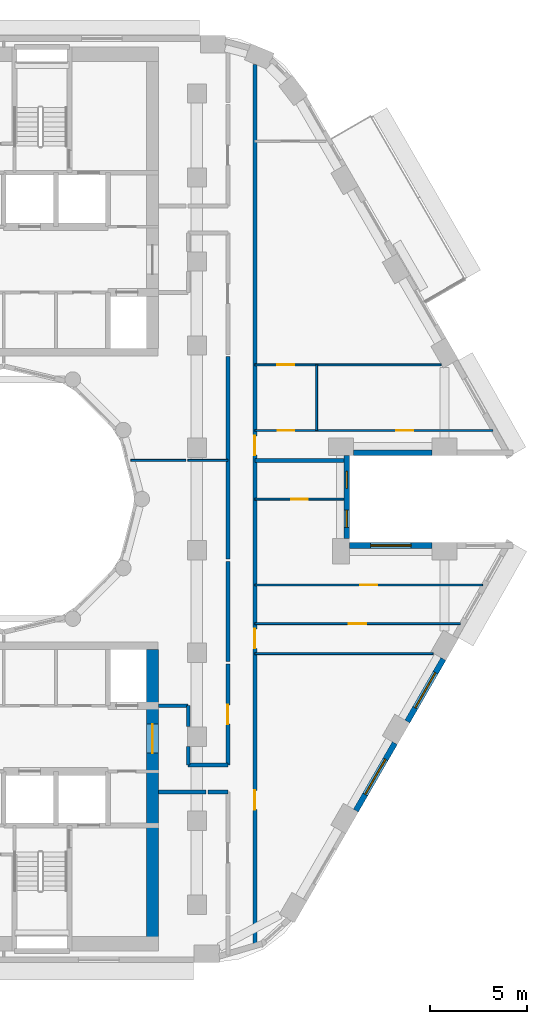
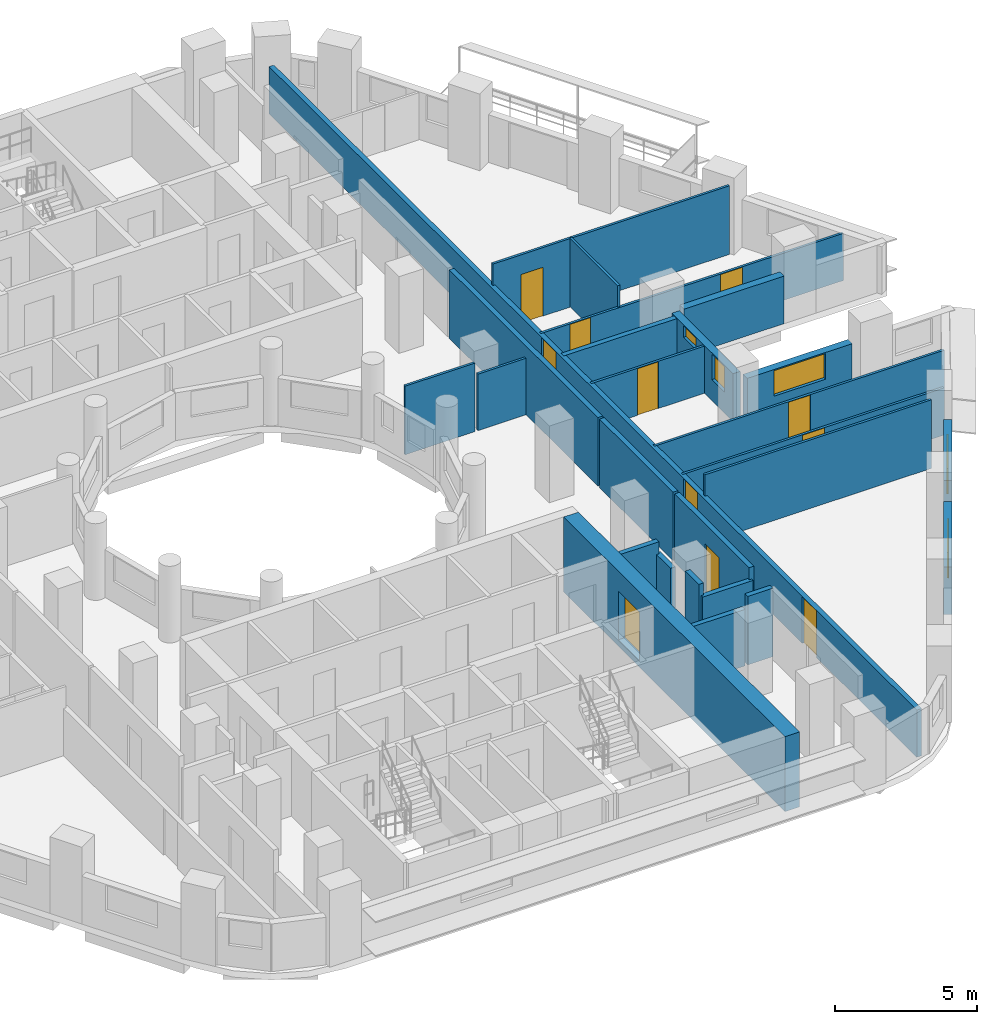
# One storey, part 6 of 14: 26 walls, 11 doors, 5 windows, 16 openings.
"""IFC4 building model written with IfcOpenShell, lengths in metres."""

from ifc_helpers import new_model, si_unit, direction, frame, frame_2d, origin, place, context, subcontext, project, spatial, rectangle, extrude, material, layer, layer_set, type_object, element, fill, save


model = new_model("IFC4")

# Units and contexts
model_context = context("Model", 3, precision=1e-05, world=origin(), true_north=direction((0.0, 1.0)))
body_context = subcontext(model_context, "Body", "Model", "MODEL_VIEW")
ifc_project = project(units=[si_unit("LENGTHUNIT", "METRE"), si_unit("AREAUNIT", "SQUARE_METRE"), si_unit("VOLUMEUNIT", "CUBIC_METRE"), si_unit("PLANEANGLEUNIT", "RADIAN"), si_unit("MASSUNIT", "GRAM", prefix="KILO")], contexts=[model_context])

# Site, building, storey
site_placement = place(None, origin())
site = spatial("IfcSite", under=ifc_project, at=site_placement, CompositionType="ELEMENT")
building_placement = place(site_placement, origin())
building = spatial("IfcBuilding", under=site, at=building_placement, Name="Nakaniwa Court", CompositionType="ELEMENT")
storey_placement = place(building_placement, frame((0.0, 0.0, 166.800048828125)))
storey = spatial("IfcBuildingStorey", under=building, at=storey_placement, Name="L44", CompositionType="ELEMENT", Elevation=166.800048828125)

# Wall, opening, door
ifc_material_1 = material(Name="Acoustic double stud partition")
ifc_layer_1 = layer(ifc_material_1, 0.199951171875)
ifc_layer_set_1 = layer_set([ifc_layer_1], Name="Acoustic double stud partition")
wall_type_1 = type_object("IfcWallType", Name="Acoustic double stud partition 200", PredefinedType="PARTITIONING", material=ifc_layer_set_1)
wall_1_placement = place(storey_placement, frame((91.60009765625, 66.22509765625, 0.0), z_axis=(0.0, 0.0, 1.0), x_axis=(0.0, 1.0, 0.0)))
wall_1 = element("IfcWall", 1, at=wall_1_placement, inside=storey, type_object=wall_type_1, Name="Partition PW-075", PredefinedType="PARTITIONING", context=body_context, shape_type="SweptSolid", body=[
    extrude(rectangle(XDim=5.247802734375, YDim=0.199951171875, at=frame_2d((2.6240234375, 0.0))), origin(), (0.0, 0.0, 1.0), 2.949951171875),
])
opening_1_placement = place(wall_1_placement, frame((2.123046875, 0.0, 0.0)))
opening_1 = element("IfcOpeningElement", 2, at=opening_1_placement, cuts=wall_1, Name="Opening D-02-02", PredefinedType="OPENING", context=body_context, shape_type="SweptSolid", body=[
    extrude(rectangle(XDim=1.0, YDim=2.10009765625, at=frame_2d((0.5, 1.050048828125))), frame((0.0, 0.10986328125, 0.0), z_axis=(0.0, -1.0, 0.0), x_axis=(1.0, 0.0, 0.0)), (0.0, 0.0, 1.0), 0.219970703125),
])
ifc_material_2 = material(Name="Solid core timber door set, black veneer", Category="wood")
door_type_1 = type_object("IfcDoorType", Name="Internal door 1000", OperationType="NOTDEFINED", PredefinedType="DOOR", material=ifc_material_2)
door_1_placement = place(opening_1_placement, origin())
door_1 = element("IfcDoor", 3, at=door_1_placement, inside=storey, type_object=door_type_1, Name="Door D-02-02 L44-031", OperationType="SINGLE_SWING_RIGHT", OverallHeight=2.10009765625, OverallWidth=1.0, PredefinedType="DOOR", context=body_context, shape_type="SweptSolid", body=[
    extrude(rectangle(XDim=1.0, YDim=2.10009765625, at=frame_2d((0.5, 1.050048828125))), frame((0.0, 0.02490234375, 0.0), z_axis=(0.0, -1.0, 0.0), x_axis=(1.0, 0.0, 0.0)), (0.0, 0.0, 1.0), 0.050048828125),
])
fill(opening_1, door_1)

# Walls
wall_2_placement = place(storey_placement, frame((91.60009765625, 71.587158203125, 0.0), z_axis=(0.0, 0.0, 1.0), x_axis=(0.0, 1.0, 0.0)))
element("IfcWall", 4, at=wall_2_placement, inside=storey, type_object=wall_type_1, Name="Partition PW-076", PredefinedType="PARTITIONING", context=body_context, shape_type="SweptSolid", body=[
    extrude(rectangle(XDim=5.185546875, YDim=0.199951171875, at=frame_2d((2.5927734375, 0.0))), origin(), (0.0, 0.0, 1.0), 2.949951171875),
])
wall_3_placement = place(storey_placement, frame((91.60009765625, 76.88720703125, 0.0), z_axis=(0.0, 0.0, 1.0), x_axis=(0.0, 1.0, 0.0)))
element("IfcWall", 5, at=wall_3_placement, inside=storey, type_object=wall_type_1, Name="Partition PW-077", PredefinedType="PARTITIONING", context=body_context, shape_type="SweptSolid", body=[
    extrude(rectangle(XDim=10.485595703125, YDim=0.199951171875, at=frame_2d((5.24267578125, 0.0))), origin(), (0.0, 0.0, 1.0), 2.949951171875),
])
wall_4_placement = place(storey_placement, frame((88.0, 64.824951171875, 0.0), z_axis=(0.0, 0.0, 1.0), x_axis=(1.0, 0.0, 0.0)))
element("IfcWall", 6, at=wall_4_placement, inside=storey, type_object=wall_type_1, Name="Partition PW-083", PredefinedType="PARTITIONING", context=body_context, shape_type="SweptSolid", body=[
    extrude(rectangle(XDim=2.462890625, YDim=0.199951171875, at=frame_2d((1.2314453125, 0.0))), origin(), (0.0, 0.0, 1.0), 2.429931640625),
])
wall_5_placement = place(storey_placement, frame((90.5771484375, 64.824951171875, 0.0), z_axis=(0.0, 0.0, 1.0), x_axis=(1.0, 0.0, 0.0)))
element("IfcWall", 7, at=wall_5_placement, inside=storey, type_object=wall_type_1, Name="Partition PW-084", PredefinedType="PARTITIONING", context=body_context, shape_type="SweptSolid", body=[
    extrude(rectangle(XDim=1.02294921875, YDim=0.199951171875, at=frame_2d((0.511474609375, 0.0))), origin(), (0.0, 0.0, 1.0), 2.949951171875),
])

# Wall, openings, doors
wall_6_placement = place(storey_placement, frame((93.0, 102.498046875, 0.0), z_axis=(0.0, 0.0, 1.0), x_axis=(0.0, -1.0, 0.0)))
wall_6 = element("IfcWall", 8, at=wall_6_placement, inside=storey, type_object=wall_type_1, Name="Partition PW-085", PredefinedType="PARTITIONING", context=body_context, shape_type="SweptSolid", body=[
    extrude(rectangle(XDim=45.664794921875, YDim=0.199951171875, at=frame_2d((22.83251953125, 0.0))), origin(), (0.0, 0.0, 1.0), 2.030029296875),
])
opening_2_placement = place(wall_6_placement, frame((37.5810546875, 0.0, 0.0)))
opening_2 = element("IfcOpeningElement", 9, at=opening_2_placement, cuts=wall_6, Name="Opening D-36-01", PredefinedType="OPENING", context=body_context, shape_type="SweptSolid", body=[
    extrude(rectangle(XDim=1.0, YDim=2.010009765625, at=frame_2d((0.5, 1.0048828125))), frame((0.0, 0.10986328125, 0.0), z_axis=(0.0, -1.0, 0.0), x_axis=(1.0, 0.0, 0.0)), (0.0, 0.0, 1.0), 0.219970703125),
])
opening_3_placement = place(wall_6_placement, frame((29.222900390625, 0.0, 0.0)))
opening_3 = element("IfcOpeningElement", 10, at=opening_3_placement, cuts=wall_6, Name="Opening D-34-01", PredefinedType="OPENING", context=body_context, shape_type="SweptSolid", body=[
    extrude(rectangle(XDim=1.0, YDim=2.010009765625, at=frame_2d((0.5, 1.0048828125))), frame((0.0, 0.10986328125, 0.0), z_axis=(0.0, -1.0, 0.0), x_axis=(1.0, 0.0, 0.0)), (0.0, 0.0, 1.0), 0.219970703125),
])
opening_4_placement = place(wall_6_placement, frame((19.222900390625, 0.0, 0.0)))
opening_4 = element("IfcOpeningElement", 11, at=opening_4_placement, cuts=wall_6, Name="Opening D-34-02", PredefinedType="OPENING", context=body_context, shape_type="SweptSolid", body=[
    extrude(rectangle(XDim=1.0, YDim=2.010009765625, at=frame_2d((0.5, 1.0048828125))), frame((0.0, 0.10986328125, 0.0), z_axis=(0.0, -1.0, 0.0), x_axis=(1.0, 0.0, 0.0)), (0.0, 0.0, 1.0), 0.219970703125),
])
door_type_2 = type_object("IfcDoorType", Name="Flat entrance door 1000 x 2010", OperationType="NOTDEFINED", PredefinedType="DOOR", material=ifc_material_2)
door_2_placement = place(opening_3_placement, origin())
door_2 = element("IfcDoor", 12, at=door_2_placement, inside=storey, type_object=door_type_2, Name="Door D-34-01 L44-032", OperationType="SINGLE_SWING_LEFT", OverallHeight=2.010009765625, OverallWidth=1.0, PredefinedType="DOOR", context=body_context, shape_type="SweptSolid", body=[
    extrude(rectangle(XDim=1.0, YDim=2.010009765625, at=frame_2d((0.5, 1.0048828125))), frame((0.0, 0.02490234375, 0.0), z_axis=(0.0, -1.0, 0.0), x_axis=(1.0, 0.0, 0.0)), (0.0, 0.0, 1.0), 0.050048828125),
])
fill(opening_3, door_2)
door_3_placement = place(opening_4_placement, origin())
door_3 = element("IfcDoor", 13, at=door_3_placement, inside=storey, type_object=door_type_2, Name="Door D-34-02 L44-036", OperationType="SINGLE_SWING_LEFT", OverallHeight=2.010009765625, OverallWidth=1.0, PredefinedType="DOOR", context=body_context, shape_type="SweptSolid", body=[
    extrude(rectangle(XDim=1.0, YDim=2.010009765625, at=frame_2d((0.5, 1.0048828125))), frame((0.0, 0.02490234375, 0.0), z_axis=(0.0, -1.0, 0.0), x_axis=(1.0, 0.0, 0.0)), (0.0, 0.0, 1.0), 0.050048828125),
])
fill(opening_4, door_3)
door_type_3 = type_object("IfcDoorType", Name="Internal door 1000 x 2010", OperationType="NOTDEFINED", PredefinedType="DOOR", material=ifc_material_2)
door_4_placement = place(opening_2_placement, origin())
door_4 = element("IfcDoor", 14, at=door_4_placement, inside=storey, type_object=door_type_3, Name="Door D-36-01 L44-030", OperationType="SINGLE_SWING_LEFT", OverallHeight=2.010009765625, OverallWidth=1.0, PredefinedType="DOOR", context=body_context, shape_type="SweptSolid", body=[
    extrude(rectangle(XDim=1.0, YDim=2.010009765625, at=frame_2d((0.5, 1.0048828125))), frame((0.0, 0.02490234375, 0.0), z_axis=(0.0, -1.0, 0.0), x_axis=(1.0, 0.0, 0.0)), (0.0, 0.0, 1.0), 0.050048828125),
])
fill(opening_2, door_4)

# Walls
wall_7_placement = place(storey_placement, frame((88.0, 69.300048828125, 0.0), z_axis=(0.0, 0.0, 1.0), x_axis=(1.0, 0.0, 0.0)))
element("IfcWall", 15, at=wall_7_placement, inside=storey, type_object=wall_type_1, Name="Partition PW-087", PredefinedType="PARTITIONING", context=body_context, shape_type="SweptSolid", body=[
    extrude(rectangle(XDim=1.550048828125, YDim=0.199951171875, at=frame_2d((0.77490234375, 0.0))), origin(), (0.0, 0.0, 1.0), 2.949951171875),
])
wall_8_placement = place(storey_placement, frame((89.550048828125, 66.22509765625, 0.0), z_axis=(0.0, 0.0, 1.0), x_axis=(0.0, 1.0, 0.0)))
element("IfcWall", 16, at=wall_8_placement, inside=storey, type_object=wall_type_1, Name="Partition PW-088", PredefinedType="PARTITIONING", context=body_context, shape_type="SweptSolid", body=[
    extrude(rectangle(XDim=0.957763671875, YDim=0.199951171875, at=frame_2d((0.47900390625, 0.0))), origin(), (0.0, 0.0, 1.0), 2.949951171875),
])
wall_9_placement = place(storey_placement, frame((89.550048828125, 68.21728515625, 0.0), z_axis=(0.0, 0.0, 1.0), x_axis=(0.0, 1.0, 0.0)))
element("IfcWall", 17, at=wall_9_placement, inside=storey, type_object=wall_type_1, Name="Partition PW-089", PredefinedType="PARTITIONING", context=body_context, shape_type="SweptSolid", body=[
    extrude(rectangle(XDim=1.082763671875, YDim=0.199951171875, at=frame_2d((0.54150390625, 0.0))), origin(), (0.0, 0.0, 1.0), 2.429931640625),
])
wall_10_placement = place(storey_placement, frame((89.550048828125, 66.22509765625, 0.0), z_axis=(0.0, 0.0, 1.0), x_axis=(1.0, 0.0, 0.0)))
element("IfcWall", 18, at=wall_10_placement, inside=storey, type_object=wall_type_1, Name="Partition PW-093", PredefinedType="PARTITIONING", context=body_context, shape_type="SweptSolid", body=[
    extrude(rectangle(XDim=2.050048828125, YDim=0.199951171875, at=frame_2d((1.02490234375, 0.0))), origin(), (0.0, 0.0, 1.0), 2.429931640625),
])
wall_11_placement = place(storey_placement, frame((93.0009765625, 82.0, 0.0), z_axis=(0.0, 0.0, 1.0), x_axis=(1.0, 0.0, 0.0)))
element("IfcWall", 19, at=wall_11_placement, inside=storey, type_object=wall_type_1, Name="Partition PW-127", PredefinedType="PARTITIONING", context=body_context, shape_type="SweptSolid", body=[
    extrude(rectangle(XDim=4.607421875, YDim=0.199951171875, at=frame_2d((2.3037109375, 0.0))), origin(), (0.0, 0.0, 1.0), 2.030029296875),
])
ifc_material_3 = material(Name="Charcoal ceramic cladding")
ifc_layer_2 = layer(ifc_material_3, 0.02, Name="Ceramic cladding")
ifc_material_4 = material(Name="Ventilated air cavity")
ifc_layer_3 = layer(ifc_material_4, 0.04, ventilated=True, Name="Ventilated cavity")
ifc_material_5 = material(Name="Mineral wool insulation")
ifc_layer_4 = layer(ifc_material_5, 0.1, Name="Insulation")
ifc_material_6 = material(Name="Cement bonded sheathing board")
ifc_layer_5 = layer(ifc_material_6, 0.012, Name="Sheathing")
ifc_material_7 = material(Name="Cold-formed galvanised stud frame with mineral wool infill")
ifc_layer_6 = layer(ifc_material_7, 0.1, Name="Stud frame")
ifc_material_8 = material(Name="Fire-rated gypsum plasterboard lining")
ifc_layer_7 = layer(ifc_material_8, 0.028, Name="Lining")
ifc_layer_set_2 = layer_set([ifc_layer_2, ifc_layer_3, ifc_layer_4, ifc_layer_5, ifc_layer_6, ifc_layer_7], Name="Charcoal ceramic faced external wall system")
wall_type_2 = type_object("IfcWallType", Name="Black ceramic faced external wall 300", PredefinedType="SOLIDWALL", material=ifc_layer_set_2)
wall_12_placement = place(storey_placement, frame((98.1044921875, 82.39990234375, 0.0), z_axis=(0.0, 0.0, 1.0), x_axis=(1.0, 0.0, 0.0)))
element("IfcWall", 20, at=wall_12_placement, inside=storey, type_object=wall_type_2, Name="L44 external wall 00", PredefinedType="SOLIDWALL", context=body_context, shape_type="SweptSolid", body=[
    extrude(rectangle(XDim=4.072509765625, YDim=0.300048828125, at=frame_2d((2.0361328125, 0.0))), origin(), (0.0, 0.0, 1.0), 2.050048828125),
])

# Wall, opening, window
wall_13_placement = place(storey_placement, frame((98.228271484375, 63.872314453125, 0.0), z_axis=(0.0, 0.0, 1.0), x_axis=(0.500031546601, 0.86600718958, 0.0)))
wall_13 = element("IfcWall", 21, at=wall_13_placement, inside=storey, type_object=wall_type_2, Name="L44 external wall 30", PredefinedType="SOLIDWALL", context=body_context, shape_type="SweptSolid", body=[
    extrude(rectangle(XDim=4.033935546875, YDim=0.300048828125, at=frame_2d((2.01708984375, 0.0))), origin(), (0.0, 0.0, 1.0), 2.050048828125),
])
opening_5_placement = place(wall_13_placement, frame((0.966796875, 0.0, 0.89990234375)))
opening_5 = element("IfcOpeningElement", 22, at=opening_5_placement, cuts=wall_13, Name="Opening W7.27", PredefinedType="OPENING", context=body_context, shape_type="SweptSolid", body=[
    extrude(rectangle(XDim=2.10009765625, YDim=1.10009765625, at=frame_2d((1.050048828125, 0.550048828125))), frame((0.0, 0.159912109375, 0.0), z_axis=(0.0, -1.0, 0.0), x_axis=(1.0, 0.0, 0.0)), (0.0, 0.0, 1.0), 0.320068359375),
])
ifc_material_9 = material(Name="Black anodised aluminium frame with dark low-E laminated double glazing", Category="aluminium")
window_type_1 = type_object("IfcWindowType", Name="Dark glass window 2100x1100 sill 900", PartitioningType="SINGLE_PANEL", PredefinedType="WINDOW", material=ifc_material_9)
window_1_placement = place(opening_5_placement, origin())
window_1 = element("IfcWindow", 23, at=window_1_placement, inside=storey, type_object=window_type_1, Name="L44 habitable room window 30-0", OverallHeight=1.10009765625, OverallWidth=2.10009765625, PartitioningType="SINGLE_PANEL", PredefinedType="WINDOW", context=body_context, shape_type="SweptSolid", body=[
    extrude(rectangle(XDim=2.10009765625, YDim=1.10009765625, at=frame_2d((1.050048828125, 0.550048828125))), frame((0.0, 0.030029296875, 0.0), z_axis=(0.0, -1.0, 0.0), x_axis=(1.0, 0.0, 0.0)), (0.0, 0.0, 1.0), 0.06005859375),
])
fill(opening_5, window_1)

wall_14_placement = place(storey_placement, frame((100.891357421875, 68.484619140625, 0.0), z_axis=(0.0, 0.0, 1.0), x_axis=(0.499933594891, 0.866063739398, 0.0)))
wall_14 = element("IfcWall", 24, at=wall_14_placement, inside=storey, type_object=wall_type_2, Name="L44 external wall 31", PredefinedType="SOLIDWALL", context=body_context, shape_type="SweptSolid", body=[
    extrude(rectangle(XDim=3.73681640625, YDim=0.300048828125, at=frame_2d((1.868408203125, 0.0))), origin(), (0.0, 0.0, 1.0), 2.050048828125),
])
opening_6_placement = place(wall_14_placement, frame((0.818359375, 0.0, 0.89990234375)))
opening_6 = element("IfcOpeningElement", 25, at=opening_6_placement, cuts=wall_14, Name="Opening W7.28", PredefinedType="OPENING", context=body_context, shape_type="SweptSolid", body=[
    extrude(rectangle(XDim=2.10009765625, YDim=1.10009765625, at=frame_2d((1.050048828125, 0.550048828125))), frame((0.0, 0.159912109375, 0.0), z_axis=(0.0, -1.0, 0.0), x_axis=(1.0, 0.0, 0.0)), (0.0, 0.0, 1.0), 0.320068359375),
])
window_2_placement = place(opening_6_placement, origin())
window_2 = element("IfcWindow", 26, at=window_2_placement, inside=storey, type_object=window_type_1, Name="L44 habitable room window 31-0", OverallHeight=1.10009765625, OverallWidth=2.10009765625, PartitioningType="SINGLE_PANEL", PredefinedType="WINDOW", context=body_context, shape_type="SweptSolid", body=[
    extrude(rectangle(XDim=2.10009765625, YDim=1.10009765625, at=frame_2d((1.050048828125, 0.550048828125))), frame((0.0, 0.030029296875, 0.0), z_axis=(0.0, -1.0, 0.0), x_axis=(1.0, 0.0, 0.0)), (0.0, 0.0, 1.0), 0.06005859375),
])
fill(opening_6, window_2)

wall_15_placement = place(storey_placement, frame((102.177001953125, 77.60009765625, 0.0), z_axis=(0.0, 0.0, 1.0), x_axis=(-1.0, 0.0, 0.0)))
wall_15 = element("IfcWall", 27, at=wall_15_placement, inside=storey, type_object=wall_type_2, Name="L44 external wall 34", PredefinedType="SOLIDWALL", context=body_context, shape_type="SweptSolid", body=[
    extrude(rectangle(XDim=4.272705078125, YDim=0.300048828125, at=frame_2d((2.13623046875, 0.0))), origin(), (0.0, 0.0, 1.0), 2.050048828125),
])
opening_7_placement = place(wall_15_placement, frame((1.086181640625, 0.0, 0.89990234375)))
opening_7 = element("IfcOpeningElement", 28, at=opening_7_placement, cuts=wall_15, Name="Opening W7.32", PredefinedType="OPENING", context=body_context, shape_type="SweptSolid", body=[
    extrude(rectangle(XDim=2.10009765625, YDim=1.10009765625, at=frame_2d((1.050048828125, 0.550048828125))), frame((0.0, 0.159912109375, 0.0), z_axis=(0.0, -1.0, 0.0), x_axis=(1.0, 0.0, 0.0)), (0.0, 0.0, 1.0), 0.320068359375),
])
window_3_placement = place(opening_7_placement, origin())
window_3 = element("IfcWindow", 29, at=window_3_placement, inside=storey, type_object=window_type_1, Name="L44 living window 34-0", OverallHeight=1.10009765625, OverallWidth=2.10009765625, PartitioningType="SINGLE_PANEL", PredefinedType="WINDOW", context=body_context, shape_type="SweptSolid", body=[
    extrude(rectangle(XDim=2.10009765625, YDim=1.10009765625, at=frame_2d((1.050048828125, 0.550048828125))), frame((0.0, 0.030029296875, 0.0), z_axis=(0.0, -1.0, 0.0), x_axis=(1.0, 0.0, 0.0)), (0.0, 0.0, 1.0), 0.06005859375),
])
fill(opening_7, window_3)

# Wall, openings, windows
wall_16_placement = place(storey_placement, frame((97.75830078125, 77.946044921875, 0.0), z_axis=(0.0, 0.0, 1.0), x_axis=(0.0, 1.0, 0.0)))
wall_16 = element("IfcWall", 30, at=wall_16_placement, inside=storey, type_object=wall_type_2, Name="L44 external wall 35", PredefinedType="SOLIDWALL", context=body_context, shape_type="SweptSolid", body=[
    extrude(rectangle(XDim=4.307861328125, YDim=0.300048828125, at=frame_2d((2.15380859375, 0.0))), origin(), (0.0, 0.0, 1.0), 2.050048828125),
])
opening_8_placement = place(wall_16_placement, frame((0.58837890625, 0.0, 0.89990234375)))
opening_8 = element("IfcOpeningElement", 31, at=opening_8_placement, cuts=wall_16, Name="Opening W9.33", PredefinedType="OPENING", context=body_context, shape_type="SweptSolid", body=[
    extrude(rectangle(XDim=0.89990234375, YDim=1.10009765625, at=frame_2d((0.449951171875, 0.550048828125))), frame((0.0, 0.159912109375, 0.0), z_axis=(0.0, -1.0, 0.0), x_axis=(1.0, 0.0, 0.0)), (0.0, 0.0, 1.0), 0.320068359375),
])
opening_9_placement = place(wall_16_placement, frame((2.603271484375, 0.0, 1.5)))
opening_9 = element("IfcOpeningElement", 32, at=opening_9_placement, cuts=wall_16, Name="Opening W10.34", PredefinedType="OPENING", context=body_context, shape_type="SweptSolid", body=[
    extrude(rectangle(XDim=0.89990234375, YDim=0.5, at=frame_2d((0.449951171875, 0.25))), frame((0.0, 0.159912109375, 0.0), z_axis=(0.0, -1.0, 0.0), x_axis=(1.0, 0.0, 0.0)), (0.0, 0.0, 1.0), 0.320068359375),
])
window_type_2 = type_object("IfcWindowType", Name="Dark glass window 900x1100 sill 900", PartitioningType="SINGLE_PANEL", PredefinedType="WINDOW", material=ifc_material_9)
window_4_placement = place(opening_8_placement, origin())
window_4 = element("IfcWindow", 33, at=window_4_placement, inside=storey, type_object=window_type_2, Name="L44 living window 35-0", OverallHeight=1.10009765625, OverallWidth=0.89990234375, PartitioningType="SINGLE_PANEL", PredefinedType="WINDOW", context=body_context, shape_type="SweptSolid", body=[
    extrude(rectangle(XDim=0.89990234375, YDim=1.10009765625, at=frame_2d((0.449951171875, 0.550048828125))), frame((0.0, 0.030029296875, 0.0), z_axis=(0.0, -1.0, 0.0), x_axis=(1.0, 0.0, 0.0)), (0.0, 0.0, 1.0), 0.06005859375),
])
fill(opening_8, window_4)
window_type_3 = type_object("IfcWindowType", Name="Dark glass window 900x500 sill 1500", PartitioningType="SINGLE_PANEL", PredefinedType="WINDOW", material=ifc_material_9)
window_5_placement = place(opening_9_placement, origin())
window_5 = element("IfcWindow", 34, at=window_5_placement, inside=storey, type_object=window_type_3, Name="L44 bathroom window 35-1", OverallHeight=0.5, OverallWidth=0.89990234375, PartitioningType="SINGLE_PANEL", PredefinedType="WINDOW", context=body_context, shape_type="SweptSolid", body=[
    extrude(rectangle(XDim=0.89990234375, YDim=0.5, at=frame_2d((0.449951171875, 0.25))), frame((0.0, 0.030029296875, 0.0), z_axis=(0.0, -1.0, 0.0), x_axis=(1.0, 0.0, 0.0)), (0.0, 0.0, 1.0), 0.06005859375),
])
fill(opening_9, window_5)

# Wall, opening, door
ifc_material_10 = material(Name="Concrete C80/100", Category="concrete")
ifc_layer_8 = layer(ifc_material_10, 0.60009765625)
ifc_layer_set_3 = layer_set([ifc_layer_8], Name="Concrete C80/100")
wall_type_3 = type_object("IfcWallType", Name="Concrete core side wall 600 C80", PredefinedType="SHEAR", material=ifc_layer_set_3)
wall_17_placement = place(storey_placement, frame((87.699951171875, 72.199951171875, -0.275146484375), z_axis=(0.0, 0.0, 1.0), x_axis=(0.0, -1.0, 0.0)))
wall_17 = element("IfcWall", 35, at=wall_17_placement, inside=storey, type_object=wall_type_3, Name="Core wall SW-43", PredefinedType="SHEAR", context=body_context, shape_type="SweptSolid", body=[
    extrude(rectangle(XDim=15.599853515625, YDim=0.60009765625, at=frame_2d((7.7998046875, 0.0))), origin(), (0.0, 0.0, 1.0), 3.22509765625),
])
opening_10_placement = place(wall_17_placement, frame((3.85205078125, 0.0, 0.27490234375)))
opening_10 = element("IfcOpeningElement", 36, at=opening_10_placement, cuts=wall_17, Name="Opening D-07-03", PredefinedType="OPENING", context=body_context, shape_type="SweptSolid", body=[
    extrude(rectangle(XDim=1.5, YDim=2.10009765625, at=frame_2d((0.75, 1.050048828125))), frame((0.0, 0.31005859375, 0.0), z_axis=(0.0, -1.0, 0.0), x_axis=(1.0, 0.0, 0.0)), (0.0, 0.0, 1.0), 0.6201171875),
])
ifc_material_11 = material(Name="Glazed fire rated steel double door set", Category="steel")
door_type_4 = type_object("IfcDoorType", Name="Lobby double door 1500", OperationType="NOTDEFINED", PredefinedType="DOOR", material=ifc_material_11)
door_5_placement = place(opening_10_placement, origin())
door_5 = element("IfcDoor", 37, at=door_5_placement, inside=storey, type_object=door_type_4, Name="Door D-07-03 L44-060", OperationType="DOUBLE_DOOR_SINGLE_SWING", OverallHeight=2.10009765625, OverallWidth=1.5, PredefinedType="DOOR", context=body_context, shape_type="SweptSolid", body=[
    extrude(rectangle(XDim=1.5, YDim=2.10009765625, at=frame_2d((0.75, 1.050048828125))), frame((0.0, 0.02490234375, 0.0), z_axis=(0.0, -1.0, 0.0), x_axis=(1.0, 0.0, 0.0)), (0.0, 0.0, 1.0), 0.050048828125),
])
fill(opening_10, door_5)

# Walls
ifc_material_12 = material(Name="Single stud plasterboard partition")
ifc_layer_9 = layer(ifc_material_12, 0.10009765625)
ifc_layer_set_4 = layer_set([ifc_layer_9], Name="Single stud plasterboard partition")
wall_type_4 = type_object("IfcWallType", Name="Single stud plasterboard partition 100", PredefinedType="PARTITIONING", material=ifc_layer_set_4)
wall_18_placement = place(storey_placement, frame((93.0009765625, 72.0, 0.0), z_axis=(0.0, 0.0, 1.0), x_axis=(1.0, 0.0, 0.0)))
element("IfcWall", 38, at=wall_18_placement, inside=storey, type_object=wall_type_4, Name="Partition PW-120", PredefinedType="PARTITIONING", context=body_context, shape_type="SweptSolid", body=[
    extrude(rectangle(XDim=9.227294921875, YDim=0.10009765625, at=frame_2d((4.61376953125, 0.0))), origin(), (0.0, 0.0, 1.0), 2.949951171875),
])
wall_19_placement = place(storey_placement, frame((86.578125, 82.0, 0.0), z_axis=(0.0, 0.0, 1.0), x_axis=(1.0, 0.0, 0.0)))
element("IfcWall", 39, at=wall_19_placement, inside=storey, type_object=wall_type_4, Name="Partition PW-121", PredefinedType="PARTITIONING", context=body_context, shape_type="SweptSolid", body=[
    extrude(rectangle(XDim=2.844970703125, YDim=0.10009765625, at=frame_2d((1.42236328125, 0.0))), origin(), (0.0, 0.0, 1.0), 2.949951171875),
])
wall_20_placement = place(storey_placement, frame((89.537109375, 82.0, 0.0), z_axis=(0.0, 0.0, 1.0), x_axis=(1.0, 0.0, 0.0)))
element("IfcWall", 40, at=wall_20_placement, inside=storey, type_object=wall_type_4, Name="Partition PW-122", PredefinedType="PARTITIONING", context=body_context, shape_type="SweptSolid", body=[
    extrude(rectangle(XDim=2.06201171875, YDim=0.10009765625, at=frame_2d((1.031005859375, 0.0))), origin(), (0.0, 0.0, 1.0), 2.429931640625),
])

# Wall, opening, door
wall_21_placement = place(storey_placement, frame((93.0009765625, 73.550048828125, 0.0), z_axis=(0.0, 0.0, 1.0), x_axis=(1.0, 0.0, 0.0)))
wall_21 = element("IfcWall", 41, at=wall_21_placement, inside=storey, type_object=wall_type_4, Name="Partition PW-124", PredefinedType="PARTITIONING", context=body_context, shape_type="SweptSolid", body=[
    extrude(rectangle(XDim=10.6416015625, YDim=0.10009765625, at=frame_2d((5.32080078125, 0.0))), origin(), (0.0, 0.0, 1.0), 2.030029296875),
])
opening_11_placement = place(wall_21_placement, frame((4.87109375, 0.0, 0.0)))
opening_11 = element("IfcOpeningElement", 42, at=opening_11_placement, cuts=wall_21, Name="Opening D-37-01", PredefinedType="OPENING", context=body_context, shape_type="SweptSolid", body=[
    extrude(rectangle(XDim=0.89990234375, YDim=2.010009765625, at=frame_2d((0.449951171875, 1.0048828125))), frame((0.0, 0.06005859375, 0.0), z_axis=(0.0, -1.0, 0.0), x_axis=(1.0, 0.0, 0.0)), (0.0, 0.0, 1.0), 0.1201171875),
])
door_type_5 = type_object("IfcDoorType", Name="Internal door 900 x 2010", OperationType="NOTDEFINED", PredefinedType="DOOR", material=ifc_material_2)
door_6_placement = place(opening_11_placement, origin())
door_6 = element("IfcDoor", 43, at=door_6_placement, inside=storey, type_object=door_type_5, Name="Door D-37-01 L44-033", OperationType="SINGLE_SWING_RIGHT", OverallHeight=2.010009765625, OverallWidth=0.89990234375, PredefinedType="DOOR", context=body_context, shape_type="SweptSolid", body=[
    extrude(rectangle(XDim=0.89990234375, YDim=2.010009765625, at=frame_2d((0.449951171875, 1.0048828125))), frame((0.0, 0.02490234375, 0.0), z_axis=(0.0, -1.0, 0.0), x_axis=(1.0, 0.0, 0.0)), (0.0, 0.0, 1.0), 0.050048828125),
])
fill(opening_11, door_6)

wall_22_placement = place(storey_placement, frame((93.0009765625, 75.551025390625, 0.0), z_axis=(0.0, 0.0, 1.0), x_axis=(1.0, 0.0, 0.0)))
wall_22 = element("IfcWall", 44, at=wall_22_placement, inside=storey, type_object=wall_type_4, Name="Partition PW-125", PredefinedType="PARTITIONING", context=body_context, shape_type="SweptSolid", body=[
    extrude(rectangle(XDim=11.797119140625, YDim=0.10009765625, at=frame_2d((5.8984375, 0.0))), origin(), (0.0, 0.0, 1.0), 2.030029296875),
])
opening_12_placement = place(wall_22_placement, frame((5.447998046875, 0.0, 0.0)))
opening_12 = element("IfcOpeningElement", 45, at=opening_12_placement, cuts=wall_22, Name="Opening D-37-02", PredefinedType="OPENING", context=body_context, shape_type="SweptSolid", body=[
    extrude(rectangle(XDim=0.89990234375, YDim=2.010009765625, at=frame_2d((0.449951171875, 1.0048828125))), frame((0.0, 0.06005859375, 0.0), z_axis=(0.0, -1.0, 0.0), x_axis=(1.0, 0.0, 0.0)), (0.0, 0.0, 1.0), 0.1201171875),
])
door_7_placement = place(opening_12_placement, origin())
door_7 = element("IfcDoor", 46, at=door_7_placement, inside=storey, type_object=door_type_5, Name="Door D-37-02 L44-034", OperationType="SINGLE_SWING_LEFT", OverallHeight=2.010009765625, OverallWidth=0.89990234375, PredefinedType="DOOR", context=body_context, shape_type="SweptSolid", body=[
    extrude(rectangle(XDim=0.89990234375, YDim=2.010009765625, at=frame_2d((0.449951171875, 1.0048828125))), frame((0.0, 0.02490234375, 0.0), z_axis=(0.0, -1.0, 0.0), x_axis=(1.0, 0.0, 0.0)), (0.0, 0.0, 1.0), 0.050048828125),
])
fill(opening_12, door_7)

wall_23_placement = place(storey_placement, frame((93.0009765625, 79.9990234375, 0.0), z_axis=(0.0, 0.0, 1.0), x_axis=(1.0, 0.0, 0.0)))
wall_23 = element("IfcWall", 47, at=wall_23_placement, inside=storey, type_object=wall_type_4, Name="Partition PW-126", PredefinedType="PARTITIONING", context=body_context, shape_type="SweptSolid", body=[
    extrude(rectangle(XDim=4.607421875, YDim=0.10009765625, at=frame_2d((2.3037109375, 0.0))), origin(), (0.0, 0.0, 1.0), 2.030029296875),
])
opening_13_placement = place(wall_23_placement, frame((1.87890625, 0.0, 0.0)))
opening_13 = element("IfcOpeningElement", 48, at=opening_13_placement, cuts=wall_23, Name="Opening D-38-01", PredefinedType="OPENING", context=body_context, shape_type="SweptSolid", body=[
    extrude(rectangle(XDim=0.85009765625, YDim=2.010009765625, at=frame_2d((0.425048828125, 1.0048828125))), frame((0.0, 0.06005859375, 0.0), z_axis=(0.0, -1.0, 0.0), x_axis=(1.0, 0.0, 0.0)), (0.0, 0.0, 1.0), 0.1201171875),
])
ifc_material_13 = material(Name="Moisture sealed timber door set", Category="wood")
door_type_6 = type_object("IfcDoorType", Name="Bathroom door 850 x 2010", OperationType="NOTDEFINED", PredefinedType="DOOR", material=ifc_material_13)
door_8_placement = place(opening_13_placement, origin())
door_8 = element("IfcDoor", 49, at=door_8_placement, inside=storey, type_object=door_type_6, Name="Door D-38-01 L44-035", OperationType="SINGLE_SWING_RIGHT", OverallHeight=2.010009765625, OverallWidth=0.85009765625, PredefinedType="DOOR", context=body_context, shape_type="SweptSolid", body=[
    extrude(rectangle(XDim=0.85009765625, YDim=2.010009765625, at=frame_2d((0.425048828125, 1.0048828125))), frame((0.0, 0.02490234375, 0.0), z_axis=(0.0, -1.0, 0.0), x_axis=(1.0, 0.0, 0.0)), (0.0, 0.0, 1.0), 0.050048828125),
])
fill(opening_13, door_8)

# Wall, openings, doors
wall_24_placement = place(storey_placement, frame((93.0009765625, 83.550048828125, 0.0), z_axis=(0.0, 0.0, 1.0), x_axis=(1.0, 0.0, 0.0)))
wall_24 = element("IfcWall", 50, at=wall_24_placement, inside=storey, type_object=wall_type_4, Name="Partition PW-128", PredefinedType="PARTITIONING", context=body_context, shape_type="SweptSolid", body=[
    extrude(rectangle(XDim=12.31591796875, YDim=0.10009765625, at=frame_2d((6.157958984375, 0.0))), origin(), (0.0, 0.0, 1.0), 2.030029296875),
])
opening_14_placement = place(wall_24_placement, frame((1.175048828125, 0.0, 0.0)))
opening_14 = element("IfcOpeningElement", 51, at=opening_14_placement, cuts=wall_24, Name="Opening D-38-02", PredefinedType="OPENING", context=body_context, shape_type="SweptSolid", body=[
    extrude(rectangle(XDim=0.85009765625, YDim=2.010009765625, at=frame_2d((0.425048828125, 1.0048828125))), frame((0.0, 0.06005859375, 0.0), z_axis=(0.0, -1.0, 0.0), x_axis=(1.0, 0.0, 0.0)), (0.0, 0.0, 1.0), 0.1201171875),
])
opening_15_placement = place(wall_24_placement, frame((7.30810546875, 0.0, 0.0)))
opening_15 = element("IfcOpeningElement", 52, at=opening_15_placement, cuts=wall_24, Name="Opening D-37-03", PredefinedType="OPENING", context=body_context, shape_type="SweptSolid", body=[
    extrude(rectangle(XDim=0.89990234375, YDim=2.010009765625, at=frame_2d((0.449951171875, 1.0048828125))), frame((0.0, 0.06005859375, 0.0), z_axis=(0.0, -1.0, 0.0), x_axis=(1.0, 0.0, 0.0)), (0.0, 0.0, 1.0), 0.1201171875),
])
door_9_placement = place(opening_14_placement, origin())
door_9 = element("IfcDoor", 53, at=door_9_placement, inside=storey, type_object=door_type_6, Name="Door D-38-02 L44-037", OperationType="SINGLE_SWING_RIGHT", OverallHeight=2.010009765625, OverallWidth=0.85009765625, PredefinedType="DOOR", context=body_context, shape_type="SweptSolid", body=[
    extrude(rectangle(XDim=0.85009765625, YDim=2.010009765625, at=frame_2d((0.425048828125, 1.0048828125))), frame((0.0, 0.02490234375, 0.0), z_axis=(0.0, -1.0, 0.0), x_axis=(1.0, 0.0, 0.0)), (0.0, 0.0, 1.0), 0.050048828125),
])
fill(opening_14, door_9)
door_10_placement = place(opening_15_placement, origin())
door_10 = element("IfcDoor", 54, at=door_10_placement, inside=storey, type_object=door_type_5, Name="Door D-37-03 L44-038", OperationType="SINGLE_SWING_LEFT", OverallHeight=2.010009765625, OverallWidth=0.89990234375, PredefinedType="DOOR", context=body_context, shape_type="SweptSolid", body=[
    extrude(rectangle(XDim=0.89990234375, YDim=2.010009765625, at=frame_2d((0.449951171875, 1.0048828125))), frame((0.0, 0.02490234375, 0.0), z_axis=(0.0, -1.0, 0.0), x_axis=(1.0, 0.0, 0.0)), (0.0, 0.0, 1.0), 0.050048828125),
])
fill(opening_15, door_10)

# Wall
wall_25_placement = place(storey_placement, frame((96.200927734375, 83.550048828125, 0.0), z_axis=(0.0, 0.0, 1.0), x_axis=(0.0, 1.0, 0.0)))
element("IfcWall", 55, at=wall_25_placement, inside=storey, type_object=wall_type_4, Name="Partition PW-129", PredefinedType="PARTITIONING", context=body_context, shape_type="SweptSolid", body=[
    extrude(rectangle(XDim=3.39990234375, YDim=0.10009765625, at=frame_2d((1.699951171875, 0.0))), origin(), (0.0, 0.0, 1.0), 2.949951171875),
])

# Wall, opening, door
wall_26_placement = place(storey_placement, frame((93.0009765625, 86.949951171875, 0.0), z_axis=(0.0, 0.0, 1.0), x_axis=(1.0, 0.0, 0.0)))
wall_26 = element("IfcWall", 56, at=wall_26_placement, inside=storey, type_object=wall_type_4, Name="Partition PW-130", PredefinedType="PARTITIONING", context=body_context, shape_type="SweptSolid", body=[
    extrude(rectangle(XDim=9.636962890625, YDim=0.10009765625, at=frame_2d((4.818359375, 0.0))), origin(), (0.0, 0.0, 1.0), 2.949951171875),
])
opening_16_placement = place(wall_26_placement, frame((1.15087890625, 0.0, 0.0)))
opening_16 = element("IfcOpeningElement", 57, at=opening_16_placement, cuts=wall_26, Name="Opening D-33-01", PredefinedType="OPENING", context=body_context, shape_type="SweptSolid", body=[
    extrude(rectangle(XDim=0.89990234375, YDim=2.10009765625, at=frame_2d((0.449951171875, 1.050048828125))), frame((0.0, 0.06005859375, 0.0), z_axis=(0.0, -1.0, 0.0), x_axis=(1.0, 0.0, 0.0)), (0.0, 0.0, 1.0), 0.1201171875),
])
door_type_7 = type_object("IfcDoorType", Name="Internal door 900", OperationType="NOTDEFINED", PredefinedType="DOOR", material=ifc_material_2)
door_11_placement = place(opening_16_placement, origin())
door_11 = element("IfcDoor", 58, at=door_11_placement, inside=storey, type_object=door_type_7, Name="Door D-33-01 L44-039", OperationType="SINGLE_SWING_RIGHT", OverallHeight=2.10009765625, OverallWidth=0.89990234375, PredefinedType="DOOR", context=body_context, shape_type="SweptSolid", body=[
    extrude(rectangle(XDim=0.89990234375, YDim=2.10009765625, at=frame_2d((0.449951171875, 1.050048828125))), frame((0.0, 0.02490234375, 0.0), z_axis=(0.0, -1.0, 0.0), x_axis=(1.0, 0.0, 0.0)), (0.0, 0.0, 1.0), 0.050048828125),
])
fill(opening_16, door_11)

save(model, "model.ifc")
